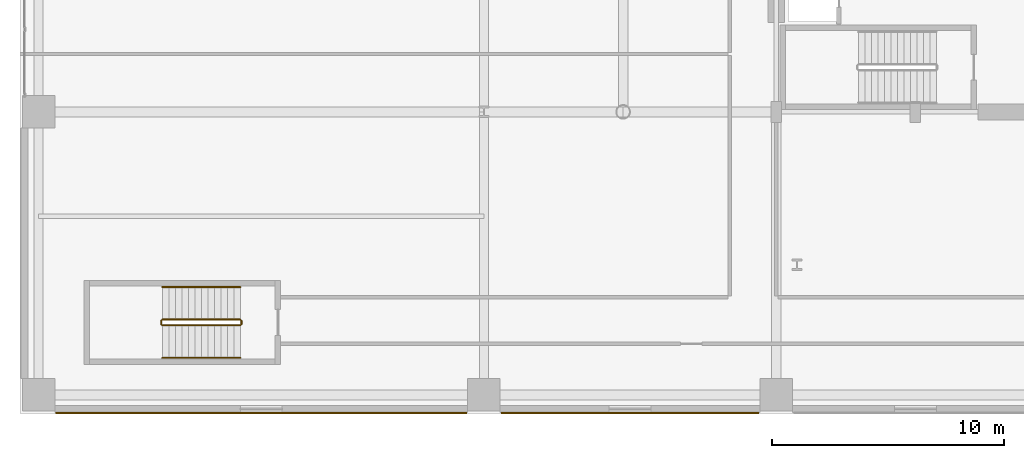
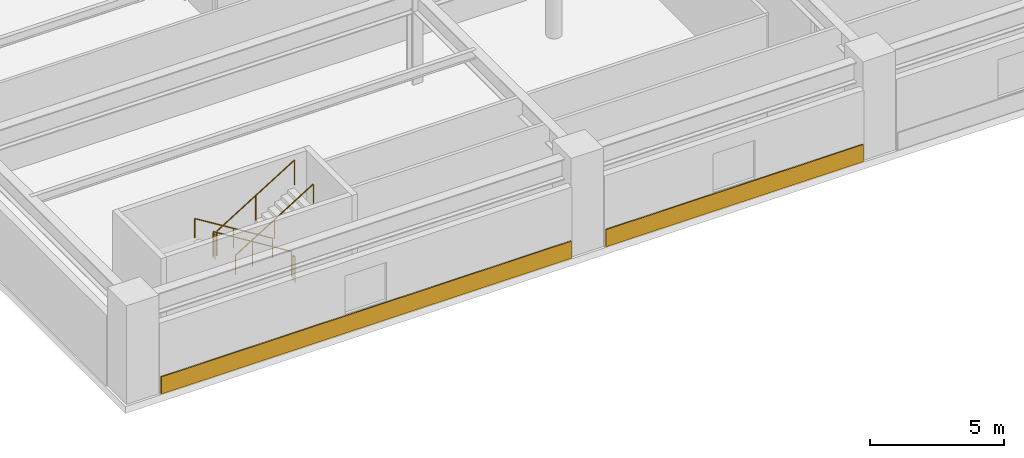
# One storey, part 24 of 28: 6 railings, 2 coverings.
"""IFC4 building model written with IfcOpenShell, lengths in metres."""

from ifc_helpers import new_model, si_unit, direction, frame, origin, origin_2d, place, context, subcontext, project, spatial, rectangle, circle, extrude, material, layer, layer_set, type_object, element, save


model = new_model("IFC4")

# Units and contexts
model_context = context("Model", 3, precision=1e-05, world=origin(), true_north=direction((0.0, 1.0)))
body_context = subcontext(model_context, "Body", "Model", "MODEL_VIEW")
ifc_project = project(units=[si_unit("LENGTHUNIT", "METRE"), si_unit("AREAUNIT", "SQUARE_METRE"), si_unit("VOLUMEUNIT", "CUBIC_METRE"), si_unit("PLANEANGLEUNIT", "RADIAN"), si_unit("MASSUNIT", "GRAM", prefix="KILO")], contexts=[model_context])

# Site, building, storey
site_placement = place(None, origin())
site = spatial("IfcSite", under=ifc_project, at=site_placement, CompositionType="ELEMENT")
building_placement = place(site_placement, origin())
building = spatial("IfcBuilding", under=site, at=building_placement, Name="Soratama Intermodal Tower", CompositionType="ELEMENT")
storey_placement = place(building_placement, frame((0.0, 0.0, 16.199951171875)))
storey = spatial("IfcBuildingStorey", under=building, at=storey_placement, Name="L03", CompositionType="ELEMENT", Elevation=16.199951171875)

# Coverings
ifc_material_1 = material(Name="Honed Andean limestone cladding", Category="masonry")
ifc_layer = layer(ifc_material_1, 0.06005859375)
ifc_layer_set = layer_set([ifc_layer], Name="Honed Andean limestone cladding")
covering_type = type_object("IfcCoveringType", Name="CV-STONE-CLAD", PredefinedType="CLADDING", material=ifc_layer_set)
covering_1_placement = place(storey_placement, frame((10.39990234375, 2.02392578125, 0.0302734375), z_axis=(0.0, 0.0, 1.0), x_axis=(1.0, 0.0, 0.0)))
element("IfcCovering", 1, at=covering_1_placement, inside=storey, type_object=covering_type, Name="L03 S Cladding B1", PredefinedType="CLADDING", context=body_context, shape_type="SweptSolid", body=[
    extrude(rectangle(XDim=17.699951171875, YDim=0.06005859375, at=origin_2d()), origin(), (0.0, 0.0, 1.0), 0.780029296875),
])
covering_2_placement = place(storey_placement, frame((26.300048828125, 2.02392578125, 0.0302734375), z_axis=(0.0, 0.0, 1.0), x_axis=(1.0, 0.0, 0.0)))
element("IfcCovering", 2, at=covering_2_placement, inside=storey, type_object=covering_type, Name="L03 S Cladding B2", PredefinedType="CLADDING", context=body_context, shape_type="SweptSolid", body=[
    extrude(rectangle(XDim=11.10009765625, YDim=0.06005859375, at=origin_2d()), origin(), (0.0, 0.0, 1.0), 0.780029296875),
])

# Railings
ifc_material_2 = material(Name="Painted steel stair guardrail", Category="steel")
railing_type_1 = type_object("IfcRailingType", Name="RL-STAIR-GUARD", PredefinedType="GUARDRAIL", material=ifc_material_2)
railing_1_placement = place(storey_placement, frame((9.5, 6.050048828125, 0.173095703125)))
element("IfcRailing", 3, at=railing_1_placement, inside=storey, type_object=railing_type_1, Name="L03 ST-3 stair guard 1", PredefinedType="GUARDRAIL", context=body_context, shape_type="SweptSolid", body=[
    extrude(circle(Radius=0.02392578125, at=origin_2d()), frame((0.0, 0.0, 1.1259765625), z_axis=(-0.850623216509, 0.0, 0.525775754039), x_axis=(0.0, -1.0, 0.0)), (0.0, 0.0, 1.0), 3.9501953125),
    extrude(circle(Radius=0.02099609375, at=origin_2d()), origin(), (0.0, 0.0, 1.0), 1.101806640625),
    extrude(circle(Radius=0.02099609375, at=origin_2d()), frame((-1.68017578125, 0.0, 1.03857421875)), (0.0, 0.0, 1.0), 1.101806640625),
    extrude(circle(Radius=0.02099609375, at=origin_2d()), frame((-3.360107421875, 0.0, 2.076904296875)), (0.0, 0.0, 1.0), 1.101806640625),
])
railing_2_placement = place(storey_placement, frame((6.090087890625, 6.0, 2.25)))
element("IfcRailing", 4, at=railing_2_placement, inside=storey, type_object=railing_type_1, Name="L03 ST-3 stair guard 2", PredefinedType="GUARDRAIL", context=body_context, shape_type="SweptSolid", body=[
    extrude(circle(Radius=0.02392578125, at=origin_2d()), frame((0.0, 0.0, 1.1259765625), z_axis=(0.0, -1.0, 0.0), x_axis=(1.0, 0.0, 0.0)), (0.0, 0.0, 1.0), 0.14990234375),
    extrude(circle(Radius=0.02099609375, at=origin_2d()), origin(), (0.0, 0.0, 1.0), 1.101806640625),
    extrude(circle(Radius=0.02099609375, at=origin_2d()), frame((0.0, -0.14990234375, 0.0)), (0.0, 0.0, 1.0), 1.101806640625),
])
railing_3_placement = place(storey_placement, frame((6.139892578125, 5.800048828125, 2.423095703125)))
element("IfcRailing", 5, at=railing_3_placement, inside=storey, type_object=railing_type_1, Name="L03 ST-3 stair guard 3", PredefinedType="GUARDRAIL", context=body_context, shape_type="SweptSolid", body=[
    extrude(circle(Radius=0.02392578125, at=origin_2d()), frame((0.0, 0.0, 1.1259765625), z_axis=(0.850623216509, 0.0, 0.525775754039), x_axis=(0.0, 1.0, 0.0)), (0.0, 0.0, 1.0), 3.9501953125),
    extrude(circle(Radius=0.02099609375, at=origin_2d()), origin(), (0.0, 0.0, 1.0), 1.101806640625),
    extrude(circle(Radius=0.02099609375, at=origin_2d()), frame((1.68017578125, 0.0, 1.03857421875)), (0.0, 0.0, 1.0), 1.101806640625),
    extrude(circle(Radius=0.02099609375, at=origin_2d()), frame((3.360107421875, 0.0, 2.076904296875)), (0.0, 0.0, 1.0), 1.101806640625),
])
railing_4_placement = place(storey_placement, frame((9.550048828125, 6.0, 0.0)))
element("IfcRailing", 6, at=railing_4_placement, inside=storey, type_object=railing_type_1, Name="L03 ST-3 stair guard 4", PredefinedType="GUARDRAIL", context=body_context, shape_type="SweptSolid", body=[
    extrude(circle(Radius=0.02392578125, at=origin_2d()), frame((0.0, 0.0, 1.1259765625), z_axis=(0.0, -1.0, 0.0), x_axis=(1.0, 0.0, 0.0)), (0.0, 0.0, 1.0), 0.14990234375),
    extrude(circle(Radius=0.02099609375, at=origin_2d()), origin(), (0.0, 0.0, 1.0), 1.101806640625),
    extrude(circle(Radius=0.02099609375, at=origin_2d()), frame((0.0, -0.14990234375, 0.0)), (0.0, 0.0, 1.0), 1.101806640625),
])
ifc_material_3 = material(Name="Brushed stainless steel handrail", Category="steel")
railing_type_2 = type_object("IfcRailingType", Name="RL-STAIR-HAND", PredefinedType="HANDRAIL", material=ifc_material_3)
railing_5_placement = place(storey_placement, frame((9.5, 7.449951171875, 0.173095703125)))
element("IfcRailing", 7, at=railing_5_placement, inside=storey, type_object=railing_type_2, Name="L03 ST-3 stair handrail 1", PredefinedType="HANDRAIL", context=body_context, shape_type="SweptSolid", body=[
    extrude(circle(Radius=0.02392578125, at=origin_2d()), frame((0.0, 0.0, 0.8759765625), z_axis=(-0.850623216509, 0.0, 0.525775754039), x_axis=(0.0, -1.0, 0.0)), (0.0, 0.0, 1.0), 3.9501953125),
    extrude(circle(Radius=0.02099609375, at=origin_2d()), origin(), (0.0, 0.0, 1.0), 0.851806640625),
    extrude(circle(Radius=0.02099609375, at=origin_2d()), frame((-1.68017578125, 0.0, 1.03857421875)), (0.0, 0.0, 1.0), 0.851806640625),
    extrude(circle(Radius=0.02099609375, at=origin_2d()), frame((-3.360107421875, 0.0, 2.076904296875)), (0.0, 0.0, 1.0), 0.851806640625),
])
railing_6_placement = place(storey_placement, frame((6.139892578125, 4.39990234375, 2.423095703125)))
element("IfcRailing", 8, at=railing_6_placement, inside=storey, type_object=railing_type_2, Name="L03 ST-3 stair handrail 2", PredefinedType="HANDRAIL", context=body_context, shape_type="SweptSolid", body=[
    extrude(circle(Radius=0.02392578125, at=origin_2d()), frame((0.0, 0.0, 0.8759765625), z_axis=(0.850623216509, 0.0, 0.525775754039), x_axis=(0.0, 1.0, 0.0)), (0.0, 0.0, 1.0), 3.9501953125),
    extrude(circle(Radius=0.02099609375, at=origin_2d()), origin(), (0.0, 0.0, 1.0), 0.851806640625),
    extrude(circle(Radius=0.02099609375, at=origin_2d()), frame((1.68017578125, 0.0, 1.03857421875)), (0.0, 0.0, 1.0), 0.851806640625),
    extrude(circle(Radius=0.02099609375, at=origin_2d()), frame((3.360107421875, 0.0, 2.076904296875)), (0.0, 0.0, 1.0), 0.851806640625),
])

save(model, "model.ifc")
